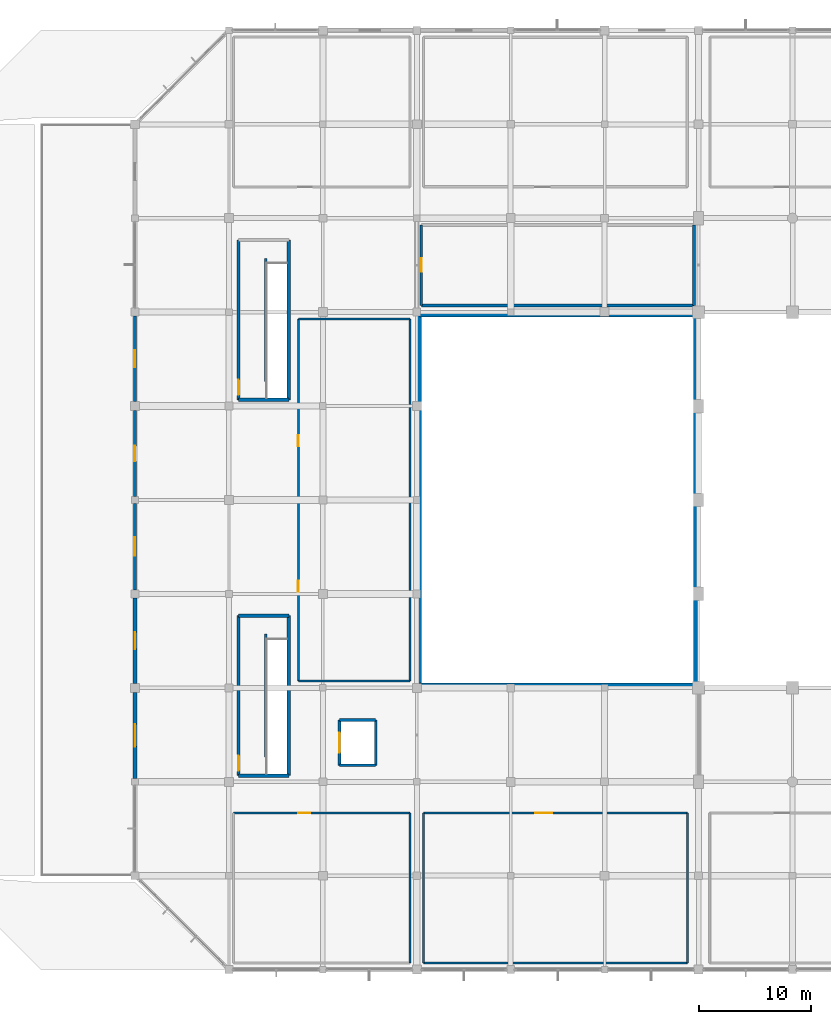
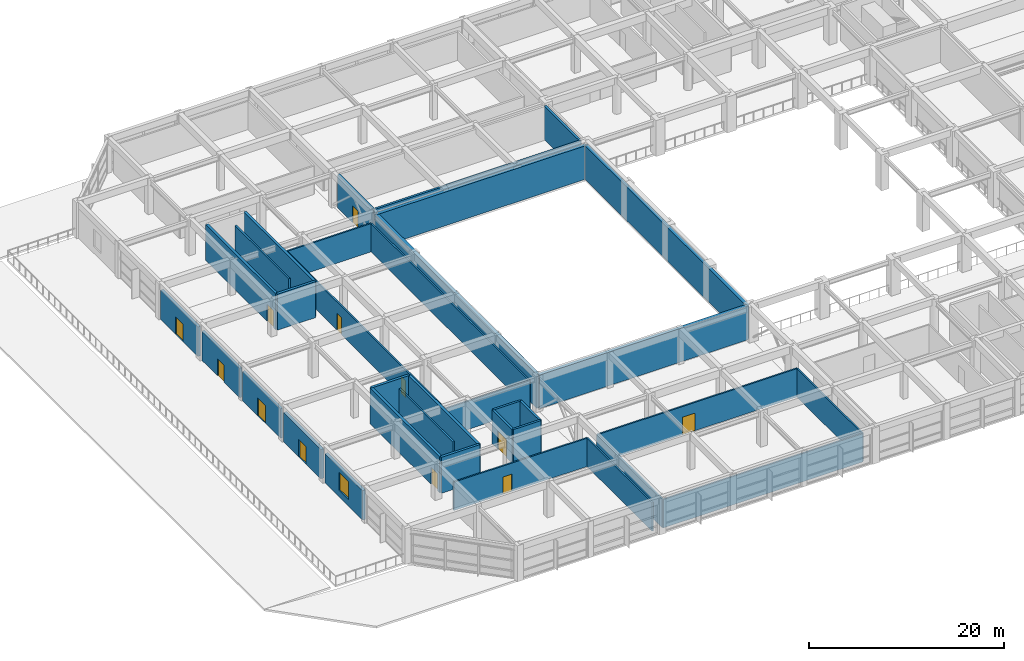
# One storey, part 42 of 56: 35 walls, 12 doors, 1 window, 13 openings.
"""IFC4 building model written with IfcOpenShell, lengths in metres."""

from ifc_helpers import new_model, si_unit, direction, frame, frame_2d, origin, place, context, subcontext, project, spatial, rectangle, extrude, material, layer, layer_set, type_object, element, fill, save


model = new_model("IFC4")

# Units and contexts
model_context = context("Model", 3, precision=1e-05, world=origin(), true_north=direction((0.0, 1.0)))
body_context = subcontext(model_context, "Body", "Model", "MODEL_VIEW")
ifc_project = project(units=[si_unit("LENGTHUNIT", "METRE"), si_unit("AREAUNIT", "SQUARE_METRE"), si_unit("VOLUMEUNIT", "CUBIC_METRE"), si_unit("PLANEANGLEUNIT", "RADIAN"), si_unit("MASSUNIT", "GRAM", prefix="KILO")], contexts=[model_context])

# Site, building, storey
site_placement = place(None, origin())
site = spatial("IfcSite", under=ifc_project, at=site_placement, CompositionType="ELEMENT")
building_placement = place(site_placement, origin())
building = spatial("IfcBuilding", under=site, at=building_placement, Name="Xuanlan Plaza Opera House", CompositionType="ELEMENT")
storey_placement = place(building_placement, frame((0.0, 0.0, 18.89990234375)))
storey = spatial("IfcBuildingStorey", under=building, at=storey_placement, Name="L04", CompositionType="ELEMENT", Elevation=18.89990234375)

# Wall, opening, door
ifc_material_1 = material(Name="Anodised Aluminium 6063-T6 and Rockwool Cladding", Category="aluminium")
ifc_layer_1 = layer(ifc_material_1, 0.360107421875)
ifc_layer_set_1 = layer_set([ifc_layer_1], Name="Anodised Aluminium 6063-T6 and Rockwool Cladding")
wall_type_1 = type_object("IfcWallType", Name="ENV-WL-EW-01", PredefinedType="STANDARD", material=ifc_layer_set_1)
wall_1_placement = place(storey_placement, frame((16.800048828125, 50.050048828125, 0.0), z_axis=(0.0, 0.0, 1.0), x_axis=(0.0, -1.0, 0.0)))
wall_1 = element("IfcWall", 1, at=wall_1_placement, inside=storey, type_object=wall_type_1, Name="Exterior Wall L04-049", PredefinedType="STANDARD", context=body_context, shape_type="SweptSolid", body=[
    extrude(rectangle(XDim=7.650146484375, YDim=0.360107421875, at=frame_2d((3.8251953125, 0.0))), origin(), (0.0, 0.0, 1.0), 3.68017578125),
])
opening_1_placement = place(wall_1_placement, frame((3.074951171875, 0.0, 0.0)))
opening_1 = element("IfcOpeningElement", 2, at=opening_1_placement, cuts=wall_1, Name="Opening TD-02", PredefinedType="OPENING", context=body_context, shape_type="SweptSolid", body=[
    extrude(rectangle(XDim=1.5, YDim=2.199951171875, at=frame_2d((0.75, 1.10009765625))), frame((0.0, 0.18994140625, 0.0), z_axis=(0.0, -1.0, 0.0), x_axis=(1.0, 0.0, 0.0)), (0.0, 0.0, 1.0), 0.380126953125),
])
ifc_material_2 = material(Name="Anodised Aluminium 6063-T6 and Laminated Safety Glass", Category="aluminium")
door_type_1 = type_object("IfcDoorType", Name="ENV-DR-TD-02", OperationType="DOUBLE_DOOR_SINGLE_SWING", PredefinedType="DOOR", material=ifc_material_2)
door_1_placement = place(opening_1_placement, frame((1.5, 0.0, 0.0), z_axis=(0.0, 0.0, 1.0), x_axis=(-1.0, 0.0, 0.0)))
door_1 = element("IfcDoor", 3, at=door_1_placement, inside=storey, type_object=door_type_1, Name="Terrace Access Door TERR-L04-49", OperationType="DOUBLE_DOOR_SINGLE_SWING", OverallHeight=2.199951171875, OverallWidth=1.5, PredefinedType="DOOR", context=body_context, shape_type="SweptSolid", body=[
    extrude(rectangle(XDim=1.5, YDim=2.199951171875, at=frame_2d((0.75, 1.10009765625))), frame((0.0, 0.02490234375, 0.0), z_axis=(0.0, -1.0, 0.0), x_axis=(1.0, 0.0, 0.0)), (0.0, 0.0, 1.0), 0.050048828125),
])
fill(opening_1, door_1)

# Wall, opening, window
ifc_layer_2 = layer(ifc_material_1, 0.340087890625)
ifc_layer_set_2 = layer_set([ifc_layer_2], Name="Anodised Aluminium 6063-T6 and Rockwool Cladding")
wall_type_2 = type_object("IfcWallType", Name="ENV-WL-EW-02", PredefinedType="STANDARD", material=ifc_layer_set_2)
wall_2_placement = place(storey_placement, frame((16.800048828125, 41.60009765625, 0.0), z_axis=(0.0, 0.0, 1.0), x_axis=(0.0, -1.0, 0.0)))
wall_2 = element("IfcWall", 4, at=wall_2_placement, inside=storey, type_object=wall_type_2, Name="Exterior Wall L04-050", PredefinedType="STANDARD", context=body_context, shape_type="SweptSolid", body=[
    extrude(rectangle(XDim=7.7001953125, YDim=0.340087890625, at=frame_2d((3.85009765625, 0.0))), origin(), (0.0, 0.0, 1.0), 3.68017578125),
])
opening_2_placement = place(wall_2_placement, frame((2.85009765625, 0.0, 0.85009765625)))
opening_2 = element("IfcOpeningElement", 5, at=opening_2_placement, cuts=wall_2, Name="Opening WN-06", PredefinedType="OPENING", context=body_context, shape_type="SweptSolid", body=[
    extrude(rectangle(XDim=2.0, YDim=2.199951171875, at=frame_2d((1.0, 1.10009765625))), frame((0.0, 0.179931640625, 0.0), z_axis=(0.0, -1.0, 0.0), x_axis=(1.0, 0.0, 0.0)), (0.0, 0.0, 1.0), 0.360107421875),
])
ifc_material_3 = material(Name="Anodised Aluminium 6063-T6 and Low-E Glass", Category="aluminium")
window_type = type_object("IfcWindowType", Name="ENV-WN-WN-06", PartitioningType="DOUBLE_PANEL_VERTICAL", PredefinedType="WINDOW", material=ifc_material_3)
window_placement = place(opening_2_placement, origin())
window = element("IfcWindow", 6, at=window_placement, inside=storey, type_object=window_type, Name="Facade Window L04-050", OverallHeight=2.199951171875, OverallWidth=2.0, PartitioningType="DOUBLE_PANEL_VERTICAL", PredefinedType="WINDOW", context=body_context, shape_type="SweptSolid", body=[
    extrude(rectangle(XDim=2.0, YDim=2.199951171875, at=frame_2d((1.0, 1.10009765625))), frame((0.0, 0.030029296875, 0.0), z_axis=(0.0, -1.0, 0.0), x_axis=(1.0, 0.0, 0.0)), (0.0, 0.0, 1.0), 0.06005859375),
])
fill(opening_2, window)

# Wall, opening, door
ifc_layer_3 = layer(ifc_material_1, 0.31005859375)
ifc_layer_set_3 = layer_set([ifc_layer_3], Name="Anodised Aluminium 6063-T6 and Rockwool Cladding")
wall_type_3 = type_object("IfcWallType", Name="ENV-WL-EW-04", PredefinedType="STANDARD", material=ifc_layer_set_3)
wall_3_placement = place(storey_placement, frame((16.800048828125, 75.25, 0.0), z_axis=(0.0, 0.0, 1.0), x_axis=(0.0, -1.0, 0.0)))
wall_3 = element("IfcWall", 7, at=wall_3_placement, inside=storey, type_object=wall_type_3, Name="Exterior Wall L04-046", PredefinedType="STANDARD", context=body_context, shape_type="SweptSolid", body=[
    extrude(rectangle(XDim=7.64990234375, YDim=0.31005859375, at=frame_2d((3.824951171875, 0.0))), origin(), (0.0, 0.0, 1.0), 3.68017578125),
])
opening_3_placement = place(wall_3_placement, frame((3.074951171875, 0.0, 0.0)))
opening_3 = element("IfcOpeningElement", 8, at=opening_3_placement, cuts=wall_3, Name="Opening TD-02", PredefinedType="OPENING", context=body_context, shape_type="SweptSolid", body=[
    extrude(rectangle(XDim=1.5, YDim=2.199951171875, at=frame_2d((0.75, 1.10009765625))), frame((0.0, 0.1650390625, 0.0), z_axis=(0.0, -1.0, 0.0), x_axis=(1.0, 0.0, 0.0)), (0.0, 0.0, 1.0), 0.330078125),
])
door_2_placement = place(opening_3_placement, frame((1.5, 0.0, 0.0), z_axis=(0.0, 0.0, 1.0), x_axis=(-1.0, 0.0, 0.0)))
door_2 = element("IfcDoor", 9, at=door_2_placement, inside=storey, type_object=door_type_1, Name="Terrace Access Door TERR-L04-46", OperationType="DOUBLE_DOOR_SINGLE_SWING", OverallHeight=2.199951171875, OverallWidth=1.5, PredefinedType="DOOR", context=body_context, shape_type="SweptSolid", body=[
    extrude(rectangle(XDim=1.5, YDim=2.199951171875, at=frame_2d((0.75, 1.10009765625))), frame((0.0, 0.02490234375, 0.0), z_axis=(0.0, -1.0, 0.0), x_axis=(1.0, 0.0, 0.0)), (0.0, 0.0, 1.0), 0.050048828125),
])
fill(opening_3, door_2)

ifc_layer_4 = layer(ifc_material_1, 0.2900390625)
ifc_layer_set_4 = layer_set([ifc_layer_4], Name="Anodised Aluminium 6063-T6 and Rockwool Cladding")
wall_type_4 = type_object("IfcWallType", Name="ENV-WL-EW-05", PredefinedType="STANDARD", material=ifc_layer_set_4)
wall_4_placement = place(storey_placement, frame((16.800048828125, 66.800048828125, 0.0), z_axis=(0.0, 0.0, 1.0), x_axis=(0.0, -1.0, 0.0)))
wall_4 = element("IfcWall", 10, at=wall_4_placement, inside=storey, type_object=wall_type_4, Name="Exterior Wall L04-047", PredefinedType="STANDARD", context=body_context, shape_type="SweptSolid", body=[
    extrude(rectangle(XDim=7.699951171875, YDim=0.2900390625, at=frame_2d((3.85009765625, 0.0))), origin(), (0.0, 0.0, 1.0), 3.68017578125),
])
opening_4_placement = place(wall_4_placement, frame((3.14990234375, 0.0, 0.0)))
opening_4 = element("IfcOpeningElement", 11, at=opening_4_placement, cuts=wall_4, Name="Opening TD-03", PredefinedType="OPENING", context=body_context, shape_type="SweptSolid", body=[
    extrude(rectangle(XDim=1.39990234375, YDim=2.14990234375, at=frame_2d((0.699951171875, 1.074951171875))), frame((0.0, 0.155029296875, 0.0), z_axis=(0.0, -1.0, 0.0), x_axis=(1.0, 0.0, 0.0)), (0.0, 0.0, 1.0), 0.31005859375),
])
door_type_2 = type_object("IfcDoorType", Name="ENV-DR-TD-03", OperationType="DOUBLE_DOOR_SINGLE_SWING", PredefinedType="DOOR", material=ifc_material_2)
door_3_placement = place(opening_4_placement, frame((1.39990234375, 0.0, 0.0), z_axis=(0.0, 0.0, 1.0), x_axis=(-1.0, 0.0, 0.0)))
door_3 = element("IfcDoor", 12, at=door_3_placement, inside=storey, type_object=door_type_2, Name="Terrace Access Door TERR-L04-47", OperationType="DOUBLE_DOOR_SINGLE_SWING", OverallHeight=2.14990234375, OverallWidth=1.39990234375, PredefinedType="DOOR", context=body_context, shape_type="SweptSolid", body=[
    extrude(rectangle(XDim=1.39990234375, YDim=2.14990234375, at=frame_2d((0.699951171875, 1.074951171875))), frame((0.0, 0.02490234375, 0.0), z_axis=(0.0, -1.0, 0.0), x_axis=(1.0, 0.0, 0.0)), (0.0, 0.0, 1.0), 0.050048828125),
])
fill(opening_4, door_3)

ifc_layer_5 = layer(ifc_material_1, 0.27001953125)
ifc_layer_set_5 = layer_set([ifc_layer_5], Name="Anodised Aluminium 6063-T6 and Rockwool Cladding")
wall_type_5 = type_object("IfcWallType", Name="ENV-WL-EW-06", PredefinedType="STANDARD", material=ifc_layer_set_5)
wall_5_placement = place(storey_placement, frame((16.800048828125, 58.5, 0.0), z_axis=(0.0, 0.0, 1.0), x_axis=(0.0, -1.0, 0.0)))
wall_5 = element("IfcWall", 13, at=wall_5_placement, inside=storey, type_object=wall_type_5, Name="Exterior Wall L04-048", PredefinedType="STANDARD", context=body_context, shape_type="SweptSolid", body=[
    extrude(rectangle(XDim=7.75, YDim=0.27001953125, at=frame_2d((3.875, 0.0))), origin(), (0.0, 0.0, 1.0), 3.68017578125),
])
opening_5_placement = place(wall_5_placement, frame((3.050048828125, 0.0, 0.0)))
opening_5 = element("IfcOpeningElement", 14, at=opening_5_placement, cuts=wall_5, Name="Opening TD-01", PredefinedType="OPENING", context=body_context, shape_type="SweptSolid", body=[
    extrude(rectangle(XDim=1.64990234375, YDim=2.199951171875, at=frame_2d((0.824951171875, 1.10009765625))), frame((0.0, 0.14501953125, 0.0), z_axis=(0.0, -1.0, 0.0), x_axis=(1.0, 0.0, 0.0)), (0.0, 0.0, 1.0), 0.2900390625),
])
door_type_3 = type_object("IfcDoorType", Name="ENV-DR-TD-01", OperationType="DOUBLE_DOOR_SINGLE_SWING", PredefinedType="DOOR", material=ifc_material_2)
door_4_placement = place(opening_5_placement, frame((1.64990234375, 0.0, 0.0), z_axis=(0.0, 0.0, 1.0), x_axis=(-1.0, 0.0, 0.0)))
door_4 = element("IfcDoor", 15, at=door_4_placement, inside=storey, type_object=door_type_3, Name="Terrace Access Door TERR-L04-48", OperationType="DOUBLE_DOOR_SINGLE_SWING", OverallHeight=2.199951171875, OverallWidth=1.64990234375, PredefinedType="DOOR", context=body_context, shape_type="SweptSolid", body=[
    extrude(rectangle(XDim=1.64990234375, YDim=2.199951171875, at=frame_2d((0.824951171875, 1.10009765625))), frame((0.0, 0.02490234375, 0.0), z_axis=(0.0, -1.0, 0.0), x_axis=(1.0, 0.0, 0.0)), (0.0, 0.0, 1.0), 0.050048828125),
])
fill(opening_5, door_4)

ifc_material_4 = material(Name="Gypsum Board and Galvanised Steel Studs", Category="gypsum")
ifc_layer_6 = layer(ifc_material_4, 0.179931640625)
ifc_layer_set_6 = layer_set([ifc_layer_6], Name="Gypsum Board and Galvanised Steel Studs")
wall_type_6 = type_object("IfcWallType", Name="INT-WL-PW-02", PredefinedType="PARTITIONING", material=ifc_layer_set_6)
wall_6_placement = place(storey_placement, frame((25.60009765625, 30.800048828125, 0.0), z_axis=(0.0, 0.0, 1.0), x_axis=(1.0, 0.0, 0.0)))
wall_6 = element("IfcWall", 16, at=wall_6_placement, inside=storey, type_object=wall_type_6, Name="Scenic Model and Design Studio Wall North", PredefinedType="PARTITIONING", context=body_context, shape_type="SweptSolid", body=[
    extrude(rectangle(XDim=15.7998046875, YDim=0.179931640625, at=frame_2d((7.89990234375, 0.0))), origin(), (0.0, 0.0, 1.0), 3.5400390625),
])
opening_6_placement = place(wall_6_placement, frame((5.800048828125, 0.0, 0.0)))
opening_6 = element("IfcOpeningElement", 17, at=opening_6_placement, cuts=wall_6, Name="Opening D-16", PredefinedType="OPENING", context=body_context, shape_type="SweptSolid", body=[
    extrude(rectangle(XDim=1.050048828125, YDim=2.159912109375, at=frame_2d((0.52490234375, 1.080078125))), frame((0.0, 0.099853515625, 0.0), z_axis=(0.0, -1.0, 0.0), x_axis=(1.0, 0.0, 0.0)), (0.0, 0.0, 1.0), 0.199951171875),
])
ifc_material_5 = material(Name="Oak Hardwood Timber", Category="wood")
door_type_4 = type_object("IfcDoorType", Name="INT-DR-D-16", OperationType="NOTDEFINED", PredefinedType="DOOR", material=ifc_material_5)
door_5_placement = place(opening_6_placement, origin())
door_5 = element("IfcDoor", 18, at=door_5_placement, inside=storey, type_object=door_type_4, Name="Scenic Model and Design Studio Door 1", OperationType="SINGLE_SWING_RIGHT", OverallHeight=2.159912109375, OverallWidth=1.050048828125, PredefinedType="DOOR", context=body_context, shape_type="SweptSolid", body=[
    extrude(rectangle(XDim=1.050048828125, YDim=2.159912109375, at=frame_2d((0.52490234375, 1.080078125))), frame((0.0, 0.02490234375, 0.0), z_axis=(0.0, -1.0, 0.0), x_axis=(1.0, 0.0, 0.0)), (0.0, 0.0, 1.0), 0.050048828125),
])
fill(opening_6, door_5)

# Walls
wall_7_placement = place(storey_placement, frame((41.39990234375, 17.39990234375, 0.0), z_axis=(0.0, 0.0, 1.0), x_axis=(0.0, 1.0, 0.0)))
element("IfcWall", 19, at=wall_7_placement, inside=storey, type_object=wall_type_6, Name="Scenic Model and Design Studio Wall East", PredefinedType="PARTITIONING", context=body_context, shape_type="SweptSolid", body=[
    extrude(rectangle(XDim=13.400146484375, YDim=0.179931640625, at=frame_2d((6.7001953125, 0.0))), origin(), (0.0, 0.0, 1.0), 3.5400390625),
])
wall_8_placement = place(storey_placement, frame((42.60009765625, 17.39990234375, 0.0), z_axis=(0.0, 0.0, 1.0), x_axis=(1.0, 0.0, 0.0)))
element("IfcWall", 20, at=wall_8_placement, inside=storey, type_object=wall_type_6, Name="Historical Costume Archive Wall South", PredefinedType="PARTITIONING", context=body_context, shape_type="SweptSolid", body=[
    extrude(rectangle(XDim=23.599853515625, YDim=0.179931640625, at=frame_2d((11.7998046875, 0.0))), origin(), (0.0, 0.0, 1.0), 3.5400390625),
])

# Wall, opening, door
wall_9_placement = place(storey_placement, frame((42.60009765625, 30.800048828125, 0.0), z_axis=(0.0, 0.0, 1.0), x_axis=(1.0, 0.0, 0.0)))
wall_9 = element("IfcWall", 21, at=wall_9_placement, inside=storey, type_object=wall_type_6, Name="Historical Costume Archive Wall North", PredefinedType="PARTITIONING", context=body_context, shape_type="SweptSolid", body=[
    extrude(rectangle(XDim=23.599853515625, YDim=0.179931640625, at=frame_2d((11.7998046875, 0.0))), origin(), (0.0, 0.0, 1.0), 3.5400390625),
])
opening_7_placement = place(wall_9_placement, frame((10.0, 0.0, 0.0)))
opening_7 = element("IfcOpeningElement", 22, at=opening_7_placement, cuts=wall_9, Name="Opening D-03", PredefinedType="OPENING", context=body_context, shape_type="SweptSolid", body=[
    extrude(rectangle(XDim=1.5, YDim=2.199951171875, at=frame_2d((0.75, 1.10009765625))), frame((0.0, 0.099853515625, 0.0), z_axis=(0.0, -1.0, 0.0), x_axis=(1.0, 0.0, 0.0)), (0.0, 0.0, 1.0), 0.199951171875),
])
ifc_material_6 = material(Name="Walnut Hardwood Timber", Category="wood")
door_type_5 = type_object("IfcDoorType", Name="INT-DR-D-03", OperationType="DOUBLE_DOOR_SINGLE_SWING", PredefinedType="DOOR", material=ifc_material_6)
door_6_placement = place(opening_7_placement, origin())
door_6 = element("IfcDoor", 23, at=door_6_placement, inside=storey, type_object=door_type_5, Name="Historical Costume Archive Door 1", OperationType="DOUBLE_DOOR_SINGLE_SWING", OverallHeight=2.199951171875, OverallWidth=1.5, PredefinedType="DOOR", context=body_context, shape_type="SweptSolid", body=[
    extrude(rectangle(XDim=1.5, YDim=2.199951171875, at=frame_2d((0.75, 1.10009765625))), frame((0.0, 0.02490234375, 0.0), z_axis=(0.0, -1.0, 0.0), x_axis=(1.0, 0.0, 0.0)), (0.0, 0.0, 1.0), 0.050048828125),
])
fill(opening_7, door_6)

# Walls
for number, where, z_axis, x_axis, name in (
    (24, (42.60009765625, 17.39990234375, 0.0), (0.0, 0.0, 1.0), (0.0, 1.0, 0.0), "Historical Costume Archive Wall West"),
    (25, (66.199951171875, 17.39990234375, 0.0), (0.0, 0.0, 1.0), (0.0, 1.0, 0.0), "Historical Costume Archive Wall East"),
):
    element("IfcWall", number, at=place(storey_placement, frame(where, z_axis=z_axis, x_axis=x_axis)), inside=storey, type_object=wall_type_6, Name=name, PredefinedType="PARTITIONING", context=body_context, shape_type="SweptSolid", body=[
        extrude(rectangle(XDim=13.400146484375, YDim=0.179931640625, at=frame_2d((6.7001953125, 0.0))), origin(), (0.0, 0.0, 1.0), 3.5400390625),
    ])
for number, where, z_axis, x_axis, name in (
    (26, (31.39990234375, 42.60009765625, 0.0), (0.0, 0.0, 1.0), (1.0, 0.0, 0.0), "Rigging Maintenance Workshop Wall South"),
    (27, (31.39990234375, 75.0, 0.0), (0.0, 0.0, 1.0), (1.0, 0.0, 0.0), "Rigging Maintenance Workshop Wall North"),
):
    element("IfcWall", number, at=place(storey_placement, frame(where, z_axis=z_axis, x_axis=x_axis)), inside=storey, type_object=wall_type_6, Name=name, PredefinedType="PARTITIONING", context=body_context, shape_type="SweptSolid", body=[
        extrude(rectangle(XDim=10.0, YDim=0.179931640625, at=frame_2d((5.0, 0.0))), origin(), (0.0, 0.0, 1.0), 3.5400390625),
    ])

# Wall, openings, doors
wall_10_placement = place(storey_placement, frame((31.39990234375, 42.60009765625, 0.0), z_axis=(0.0, 0.0, 1.0), x_axis=(0.0, 1.0, 0.0)))
wall_10 = element("IfcWall", 28, at=wall_10_placement, inside=storey, type_object=wall_type_6, Name="Rigging Maintenance Workshop Wall West", PredefinedType="PARTITIONING", context=body_context, shape_type="SweptSolid", body=[
    extrude(rectangle(XDim=32.39990234375, YDim=0.179931640625, at=frame_2d((16.199951171875, 0.0))), origin(), (0.0, 0.0, 1.0), 3.5400390625),
])
opening_8_placement = place(wall_10_placement, frame((8.0, 0.0, 0.0)))
opening_8 = element("IfcOpeningElement", 29, at=opening_8_placement, cuts=wall_10, Name="Opening D-09", PredefinedType="OPENING", context=body_context, shape_type="SweptSolid", body=[
    extrude(rectangle(XDim=0.97998046875, YDim=2.1201171875, at=frame_2d((0.489990234375, 1.06005859375))), frame((0.0, 0.099853515625, 0.0), z_axis=(0.0, -1.0, 0.0), x_axis=(1.0, 0.0, 0.0)), (0.0, 0.0, 1.0), 0.199951171875),
])
opening_9_placement = place(wall_10_placement, frame((21.0, 0.0, 0.0)))
opening_9 = element("IfcOpeningElement", 30, at=opening_9_placement, cuts=wall_10, Name="Opening D-09", PredefinedType="OPENING", context=body_context, shape_type="SweptSolid", body=[
    extrude(rectangle(XDim=0.97998046875, YDim=2.1201171875, at=frame_2d((0.489990234375, 1.06005859375))), frame((0.0, 0.099853515625, 0.0), z_axis=(0.0, -1.0, 0.0), x_axis=(1.0, 0.0, 0.0)), (0.0, 0.0, 1.0), 0.199951171875),
])
door_type_6 = type_object("IfcDoorType", Name="INT-DR-D-09", OperationType="NOTDEFINED", PredefinedType="DOOR", material=ifc_material_6)
door_7_placement = place(opening_8_placement, origin())
door_7 = element("IfcDoor", 31, at=door_7_placement, inside=storey, type_object=door_type_6, Name="Rigging Maintenance Workshop Door 1", OperationType="SINGLE_SWING_LEFT", OverallHeight=2.1201171875, OverallWidth=0.97998046875, PredefinedType="DOOR", context=body_context, shape_type="SweptSolid", body=[
    extrude(rectangle(XDim=0.97998046875, YDim=2.1201171875, at=frame_2d((0.489990234375, 1.06005859375))), frame((0.0, 0.02490234375, 0.0), z_axis=(0.0, -1.0, 0.0), x_axis=(1.0, 0.0, 0.0)), (0.0, 0.0, 1.0), 0.050048828125),
])
fill(opening_8, door_7)
door_8_placement = place(opening_9_placement, origin())
door_8 = element("IfcDoor", 32, at=door_8_placement, inside=storey, type_object=door_type_6, Name="Rigging Maintenance Workshop Door 2", OperationType="SINGLE_SWING_RIGHT", OverallHeight=2.1201171875, OverallWidth=0.97998046875, PredefinedType="DOOR", context=body_context, shape_type="SweptSolid", body=[
    extrude(rectangle(XDim=0.97998046875, YDim=2.1201171875, at=frame_2d((0.489990234375, 1.06005859375))), frame((0.0, 0.02490234375, 0.0), z_axis=(0.0, -1.0, 0.0), x_axis=(1.0, 0.0, 0.0)), (0.0, 0.0, 1.0), 0.050048828125),
])
fill(opening_9, door_8)

# Walls
wall_11_placement = place(storey_placement, frame((41.39990234375, 42.60009765625, 0.0), z_axis=(0.0, 0.0, 1.0), x_axis=(0.0, 1.0, 0.0)))
element("IfcWall", 33, at=wall_11_placement, inside=storey, type_object=wall_type_6, Name="Rigging Maintenance Workshop Wall East", PredefinedType="PARTITIONING", context=body_context, shape_type="SweptSolid", body=[
    extrude(rectangle(XDim=32.39990234375, YDim=0.179931640625, at=frame_2d((16.199951171875, 0.0))), origin(), (0.0, 0.0, 1.0), 3.5400390625),
])
ifc_material_7 = material(Name="Concrete C50", Category="concrete")
ifc_layer_7 = layer(ifc_material_7, 0.3798828125)
ifc_layer_set_7 = layer_set([ifc_layer_7], Name="Concrete C50")
wall_type_7 = type_object("IfcWallType", Name="INT-WL-SW-FW1", PredefinedType="SHEAR", material=ifc_layer_set_7)
for number, where, z_axis, x_axis, name in (
    (34, (42.25, 42.25, 0.0), (0.0, 0.0, 1.0), (0.0, 1.0, 0.0), "Proscenium and Fly Shaft Wall L04-W"),
    (35, (66.949951171875, 42.25, 0.0), (0.0, 0.0, 1.0), (0.0, 1.0, 0.0), "Proscenium and Fly Shaft Wall L04-E"),
):
    element("IfcWall", number, at=place(storey_placement, frame(where, z_axis=z_axis, x_axis=x_axis)), inside=storey, type_object=wall_type_7, Name=name, PredefinedType="SHEAR", context=body_context, shape_type="SweptSolid", body=[
        extrude(rectangle(XDim=33.10009765625, YDim=0.3798828125, at=frame_2d((16.550048828125, 0.0))), origin(), (0.0, 0.0, 1.0), 4.2001953125),
    ])
for number, where, z_axis, x_axis, name in (
    (36, (42.25, 42.25, 0.0), (0.0, 0.0, 1.0), (1.0, 0.0, 0.0), "Proscenium and Fly Shaft Wall L04-S"),
    (37, (42.25, 75.35009765625, 0.0), (0.0, 0.0, 1.0), (1.0, 0.0, 0.0), "Proscenium and Fly Shaft Wall L04-N"),
):
    element("IfcWall", number, at=place(storey_placement, frame(where, z_axis=z_axis, x_axis=x_axis)), inside=storey, type_object=wall_type_7, Name=name, PredefinedType="SHEAR", context=body_context, shape_type="SweptSolid", body=[
        extrude(rectangle(XDim=24.699951171875, YDim=0.3798828125, at=frame_2d((12.35009765625, 0.0))), origin(), (0.0, 0.0, 1.0), 4.2001953125),
    ])
ifc_material_8 = material(Name="Concrete C40", Category="concrete")
ifc_layer_8 = layer(ifc_material_8, 0.25)
ifc_layer_set_8 = layer_set([ifc_layer_8], Name="Concrete C40")
wall_type_8 = type_object("IfcWallType", Name="INT-WL-SW-LF1", PredefinedType="SHEAR", material=ifc_layer_set_8)
for number, where, z_axis, x_axis, name in (
    (38, (35.074951171875, 35.074951171875, 0.0), (0.0, 0.0, 1.0), (1.0, 0.0, 0.0), "Lift Shaft Wall LF-SC1 L04 South"),
    (39, (35.074951171875, 39.125, 0.0), (0.0, 0.0, 1.0), (1.0, 0.0, 0.0), "Lift Shaft Wall LF-SC1 L04 North"),
):
    element("IfcWall", number, at=place(storey_placement, frame(where, z_axis=z_axis, x_axis=x_axis)), inside=storey, type_object=wall_type_8, Name=name, PredefinedType="SHEAR", context=body_context, shape_type="SweptSolid", body=[
        extrude(rectangle(XDim=3.25, YDim=0.25, at=frame_2d((1.625, 0.0))), origin(), (0.0, 0.0, 1.0), 4.22021484375),
    ])

# Wall, opening, door
wall_12_placement = place(storey_placement, frame((35.074951171875, 35.074951171875, 0.0), z_axis=(0.0, 0.0, 1.0), x_axis=(0.0, 1.0, 0.0)))
wall_12 = element("IfcWall", 40, at=wall_12_placement, inside=storey, type_object=wall_type_8, Name="Lift Shaft Wall LF-SC1 L04 West", PredefinedType="SHEAR", context=body_context, shape_type="SweptSolid", body=[
    extrude(rectangle(XDim=4.050048828125, YDim=0.25, at=frame_2d((2.02490234375, 0.0))), origin(), (0.0, 0.0, 1.0), 4.22021484375),
])
opening_10_placement = place(wall_12_placement, frame((1.125, 0.0, 0.0)))
opening_10 = element("IfcOpeningElement", 41, at=opening_10_placement, cuts=wall_12, Name="Opening LD-SC1-L04", PredefinedType="OPENING", context=body_context, shape_type="SweptSolid", body=[
    extrude(rectangle(XDim=1.800048828125, YDim=2.300048828125, at=frame_2d((0.89990234375, 1.14990234375))), frame((0.0, 0.135009765625, 0.0), z_axis=(0.0, -1.0, 0.0), x_axis=(1.0, 0.0, 0.0)), (0.0, 0.0, 1.0), 0.27001953125),
])
ifc_material_9 = material(Name="Stainless Steel S30408", Category="steel")
door_type_7 = type_object("IfcDoorType", Name="INT-DR-LD-03", OperationType="DOUBLE_DOOR_SLIDING", PredefinedType="DOOR", material=ifc_material_9)
door_9_placement = place(opening_10_placement, origin())
door_9 = element("IfcDoor", 42, at=door_9_placement, inside=storey, type_object=door_type_7, Name="Lift Sliding Landing Door LF-SC1 L04", OperationType="DOUBLE_DOOR_SLIDING", OverallHeight=2.300048828125, OverallWidth=1.800048828125, PredefinedType="DOOR", context=body_context, shape_type="SweptSolid", body=[
    extrude(rectangle(XDim=1.800048828125, YDim=2.300048828125, at=frame_2d((0.89990234375, 1.14990234375))), frame((0.0, 0.02490234375, 0.0), z_axis=(0.0, -1.0, 0.0), x_axis=(1.0, 0.0, 0.0)), (0.0, 0.0, 1.0), 0.050048828125),
])
fill(opening_10, door_9)

# Walls
wall_13_placement = place(storey_placement, frame((38.324951171875, 35.074951171875, 0.0), z_axis=(0.0, 0.0, 1.0), x_axis=(0.0, 1.0, 0.0)))
element("IfcWall", 43, at=wall_13_placement, inside=storey, type_object=wall_type_8, Name="Lift Shaft Wall LF-SC1 L04 East", PredefinedType="SHEAR", context=body_context, shape_type="SweptSolid", body=[
    extrude(rectangle(XDim=4.050048828125, YDim=0.25, at=frame_2d((2.02490234375, 0.0))), origin(), (0.0, 0.0, 1.0), 4.22021484375),
])
wall_14_placement = place(storey_placement, frame((42.39990234375, 76.199951171875, 0.0), z_axis=(0.0, 0.0, 1.0), x_axis=(1.0, 0.0, 0.0)))
element("IfcWall", 44, at=wall_14_placement, inside=storey, type_object=wall_type_8, Name="Fly Tower Counterweight Walkway Wall South", PredefinedType="SHEAR", context=body_context, shape_type="SweptSolid", body=[
    extrude(rectangle(XDim=24.400146484375, YDim=0.25, at=frame_2d((12.2001953125, 0.0))), origin(), (0.0, 0.0, 1.0), 4.22021484375),
])

# Wall, opening, door
wall_15_placement = place(storey_placement, frame((42.39990234375, 76.199951171875, 0.0), z_axis=(0.0, 0.0, 1.0), x_axis=(0.0, 1.0, 0.0)))
wall_15 = element("IfcWall", 45, at=wall_15_placement, inside=storey, type_object=wall_type_8, Name="Fly Tower Counterweight Walkway Wall West", PredefinedType="SHEAR", context=body_context, shape_type="SweptSolid", body=[
    extrude(rectangle(XDim=7.199951171875, YDim=0.25, at=frame_2d((3.60009765625, 0.0))), origin(), (0.0, 0.0, 1.0), 4.22021484375),
])
opening_11_placement = place(wall_15_placement, frame((3.0, 0.0, 0.0)))
opening_11 = element("IfcOpeningElement", 46, at=opening_11_placement, cuts=wall_15, Name="Opening FD-02", PredefinedType="OPENING", context=body_context, shape_type="SweptSolid", body=[
    extrude(rectangle(XDim=1.199951171875, YDim=2.14990234375, at=frame_2d((0.60009765625, 1.074951171875))), frame((0.0, 0.135009765625, 0.0), z_axis=(0.0, -1.0, 0.0), x_axis=(1.0, 0.0, 0.0)), (0.0, 0.0, 1.0), 0.27001953125),
])
ifc_material_10 = material(Name="Galvanised Steel Q235B", Category="steel")
door_type_8 = type_object("IfcDoorType", Name="INT-DR-FD-02", OperationType="NOTDEFINED", PredefinedType="DOOR", material=ifc_material_10)
door_10_placement = place(opening_11_placement, origin())
door_10 = element("IfcDoor", 47, at=door_10_placement, inside=storey, type_object=door_type_8, Name="Fly Tower Counterweight Walkway Door 1", OperationType="SINGLE_SWING_RIGHT", OverallHeight=2.14990234375, OverallWidth=1.199951171875, PredefinedType="DOOR", context=body_context, shape_type="SweptSolid", body=[
    extrude(rectangle(XDim=1.199951171875, YDim=2.14990234375, at=frame_2d((0.60009765625, 1.074951171875))), frame((0.0, 0.02490234375, 0.0), z_axis=(0.0, -1.0, 0.0), x_axis=(1.0, 0.0, 0.0)), (0.0, 0.0, 1.0), 0.050048828125),
])
fill(opening_11, door_10)

# Walls
wall_16_placement = place(storey_placement, frame((66.800048828125, 76.199951171875, 0.0), z_axis=(0.0, 0.0, 1.0), x_axis=(0.0, 1.0, 0.0)))
element("IfcWall", 48, at=wall_16_placement, inside=storey, type_object=wall_type_8, Name="Fly Tower Counterweight Walkway Wall East", PredefinedType="SHEAR", context=body_context, shape_type="SweptSolid", body=[
    extrude(rectangle(XDim=7.199951171875, YDim=0.25, at=frame_2d((3.60009765625, 0.0))), origin(), (0.0, 0.0, 1.0), 4.22021484375),
])
ifc_layer_9 = layer(ifc_material_8, 0.199951171875)
ifc_layer_set_9 = layer_set([ifc_layer_9], Name="Concrete C40")
wall_type_9 = type_object("IfcWallType", Name="INT-WL-SW-SPN", PredefinedType="SHEAR", material=ifc_layer_set_9)
for number, where, z_axis, x_axis, name in (
    (49, (28.5, 35.800048828125, 0.0), (0.0, 0.0, 1.0), (0.0, 1.0, 0.0), "Stair Structural Spine Wall ST-P1 L04"),
    (50, (28.5, 69.39990234375, 0.0), (0.0, 0.0, 1.0), (0.0, 1.0, 0.0), "Stair Structural Spine Wall ST-P2 L04"),
):
    element("IfcWall", number, at=place(storey_placement, frame(where, z_axis=z_axis, x_axis=x_axis)), inside=storey, type_object=wall_type_9, Name=name, PredefinedType="SHEAR", context=body_context, shape_type="SweptSolid", body=[
        extrude(rectangle(XDim=11.0, YDim=0.199951171875, at=frame_2d((5.5, 0.0))), origin(), (0.0, 0.0, 1.0), 4.5),
    ])
ifc_layer_10 = layer(ifc_material_8, 0.300048828125)
ifc_layer_set_10 = layer_set([ifc_layer_10], Name="Concrete C40")
wall_type_10 = type_object("IfcWallType", Name="INT-WL-SW-ST1", PredefinedType="SHEAR", material=ifc_layer_set_10)
for number, where, z_axis, x_axis, name in (
    (51, (26.050048828125, 34.14990234375, 0.0), (0.0, 0.0, 1.0), (1.0, 0.0, 0.0), "Stair Core Wall ST-P1 L04 South"),
    (52, (26.050048828125, 48.449951171875, 0.0), (0.0, 0.0, 1.0), (1.0, 0.0, 0.0), "Stair Core Wall ST-P1 L04 North"),
):
    element("IfcWall", number, at=place(storey_placement, frame(where, z_axis=z_axis, x_axis=x_axis)), inside=storey, type_object=wall_type_10, Name=name, PredefinedType="SHEAR", context=body_context, shape_type="SweptSolid", body=[
        extrude(rectangle(XDim=4.5, YDim=0.300048828125, at=frame_2d((2.25, 0.0))), origin(), (0.0, 0.0, 1.0), 4.5),
    ])

# Wall, opening, door
wall_17_placement = place(storey_placement, frame((26.050048828125, 34.14990234375, 0.0), z_axis=(0.0, 0.0, 1.0), x_axis=(0.0, 1.0, 0.0)))
wall_17 = element("IfcWall", 53, at=wall_17_placement, inside=storey, type_object=wall_type_10, Name="Stair Core Wall ST-P1 L04 West", PredefinedType="SHEAR", context=body_context, shape_type="SweptSolid", body=[
    extrude(rectangle(XDim=14.300048828125, YDim=0.300048828125, at=frame_2d((7.14990234375, 0.0))), origin(), (0.0, 0.0, 1.0), 4.5),
])
opening_12_placement = place(wall_17_placement, frame((0.449951171875, 0.0, 0.0)))
opening_12 = element("IfcOpeningElement", 54, at=opening_12_placement, cuts=wall_17, Name="Opening FD-ST2", PredefinedType="OPENING", context=body_context, shape_type="SweptSolid", body=[
    extrude(rectangle(XDim=1.35009765625, YDim=2.14990234375, at=frame_2d((0.675048828125, 1.074951171875))), frame((0.0, 0.159912109375, 0.0), z_axis=(0.0, -1.0, 0.0), x_axis=(1.0, 0.0, 0.0)), (0.0, 0.0, 1.0), 0.320068359375),
])
door_type_9 = type_object("IfcDoorType", Name="INT-DR-FD-ST2", OperationType="NOTDEFINED", PredefinedType="DOOR", material=ifc_material_10)
door_11_placement = place(opening_12_placement, frame((1.35009765625, 0.0, 0.0), z_axis=(0.0, 0.0, 1.0), x_axis=(-1.0, 0.0, 0.0)))
door_11 = element("IfcDoor", 55, at=door_11_placement, inside=storey, type_object=door_type_9, Name="Stair Enclosure Fire Door ST-P1 L04", OperationType="SINGLE_SWING_LEFT", OverallHeight=2.14990234375, OverallWidth=1.35009765625, PredefinedType="DOOR", context=body_context, shape_type="SweptSolid", body=[
    extrude(rectangle(XDim=1.35009765625, YDim=2.14990234375, at=frame_2d((0.675048828125, 1.074951171875))), frame((0.0, 0.02490234375, 0.0), z_axis=(0.0, -1.0, 0.0), x_axis=(1.0, 0.0, 0.0)), (0.0, 0.0, 1.0), 0.050048828125),
])
fill(opening_12, door_11)

# Walls
wall_18_placement = place(storey_placement, frame((30.550048828125, 34.14990234375, 0.0), z_axis=(0.0, 0.0, 1.0), x_axis=(0.0, 1.0, 0.0)))
element("IfcWall", 56, at=wall_18_placement, inside=storey, type_object=wall_type_10, Name="Stair Core Wall ST-P1 L04 East", PredefinedType="SHEAR", context=body_context, shape_type="SweptSolid", body=[
    extrude(rectangle(XDim=14.300048828125, YDim=0.300048828125, at=frame_2d((7.14990234375, 0.0))), origin(), (0.0, 0.0, 1.0), 4.5),
])
wall_19_placement = place(storey_placement, frame((26.050048828125, 67.75, 0.0), z_axis=(0.0, 0.0, 1.0), x_axis=(1.0, 0.0, 0.0)))
element("IfcWall", 57, at=wall_19_placement, inside=storey, type_object=wall_type_10, Name="Stair Core Wall ST-P2 L04 South", PredefinedType="SHEAR", context=body_context, shape_type="SweptSolid", body=[
    extrude(rectangle(XDim=4.5, YDim=0.300048828125, at=frame_2d((2.25, 0.0))), origin(), (0.0, 0.0, 1.0), 4.5),
])

# Wall, opening, door
wall_20_placement = place(storey_placement, frame((26.050048828125, 67.75, 0.0), z_axis=(0.0, 0.0, 1.0), x_axis=(0.0, 1.0, 0.0)))
wall_20 = element("IfcWall", 58, at=wall_20_placement, inside=storey, type_object=wall_type_10, Name="Stair Core Wall ST-P2 L04 West", PredefinedType="SHEAR", context=body_context, shape_type="SweptSolid", body=[
    extrude(rectangle(XDim=14.300048828125, YDim=0.300048828125, at=frame_2d((7.14990234375, 0.0))), origin(), (0.0, 0.0, 1.0), 4.5),
])
opening_13_placement = place(wall_20_placement, frame((0.449951171875, 0.0, 0.0)))
opening_13 = element("IfcOpeningElement", 59, at=opening_13_placement, cuts=wall_20, Name="Opening FD-ST2", PredefinedType="OPENING", context=body_context, shape_type="SweptSolid", body=[
    extrude(rectangle(XDim=1.35009765625, YDim=2.14990234375, at=frame_2d((0.675048828125, 1.074951171875))), frame((0.0, 0.159912109375, 0.0), z_axis=(0.0, -1.0, 0.0), x_axis=(1.0, 0.0, 0.0)), (0.0, 0.0, 1.0), 0.320068359375),
])
door_12_placement = place(opening_13_placement, frame((1.35009765625, 0.0, 0.0), z_axis=(0.0, 0.0, 1.0), x_axis=(-1.0, 0.0, 0.0)))
door_12 = element("IfcDoor", 60, at=door_12_placement, inside=storey, type_object=door_type_9, Name="Stair Enclosure Fire Door ST-P2 L04", OperationType="SINGLE_SWING_RIGHT", OverallHeight=2.14990234375, OverallWidth=1.35009765625, PredefinedType="DOOR", context=body_context, shape_type="SweptSolid", body=[
    extrude(rectangle(XDim=1.35009765625, YDim=2.14990234375, at=frame_2d((0.675048828125, 1.074951171875))), frame((0.0, 0.02490234375, 0.0), z_axis=(0.0, -1.0, 0.0), x_axis=(1.0, 0.0, 0.0)), (0.0, 0.0, 1.0), 0.050048828125),
])
fill(opening_13, door_12)

# Wall
wall_21_placement = place(storey_placement, frame((30.550048828125, 67.75, 0.0), z_axis=(0.0, 0.0, 1.0), x_axis=(0.0, 1.0, 0.0)))
element("IfcWall", 61, at=wall_21_placement, inside=storey, type_object=wall_type_10, Name="Stair Core Wall ST-P2 L04 East", PredefinedType="SHEAR", context=body_context, shape_type="SweptSolid", body=[
    extrude(rectangle(XDim=14.300048828125, YDim=0.300048828125, at=frame_2d((7.14990234375, 0.0))), origin(), (0.0, 0.0, 1.0), 4.5),
])

save(model, "model.ifc")
